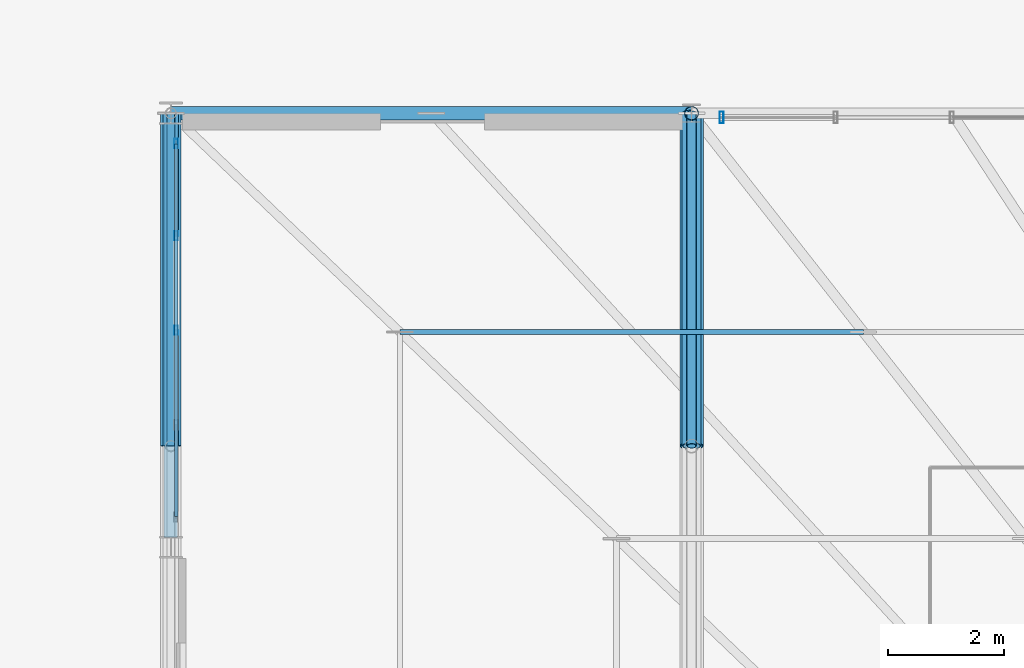
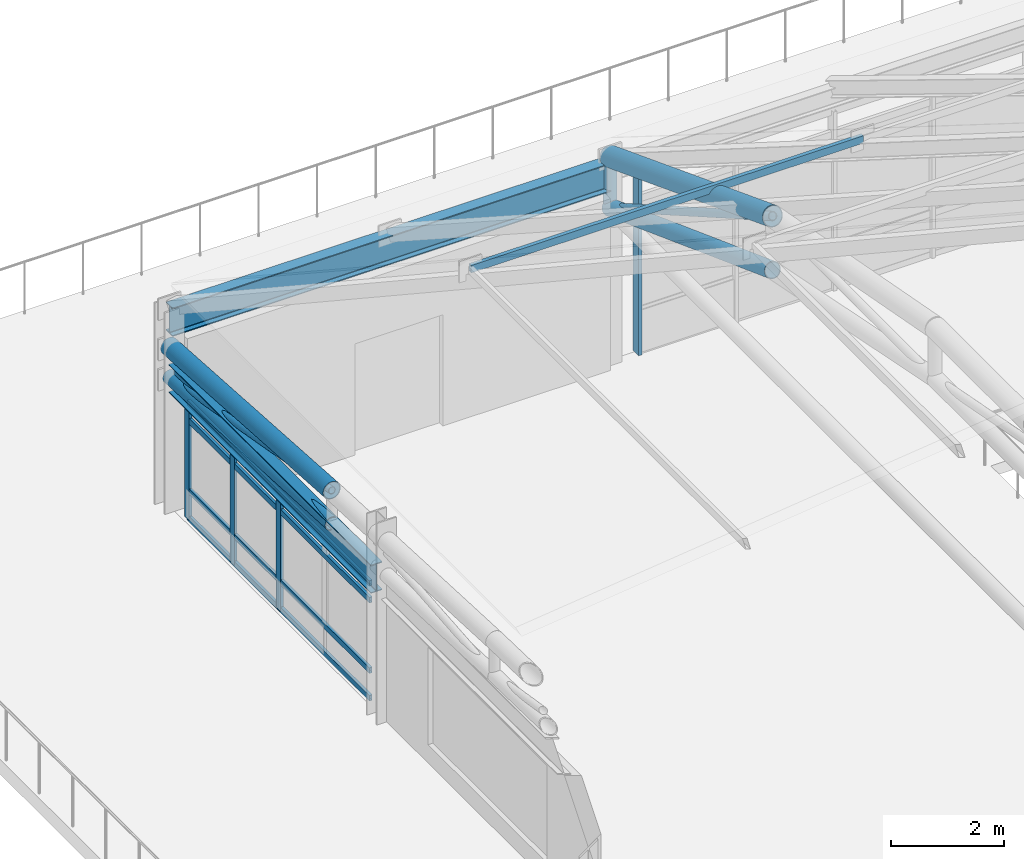
# One storey, part 18 of 168: 14 members, 4 beams, 2 elements without a shape of their own.
"""IFC4 building model written with IfcOpenShell, lengths in metres."""

import ifcopenshell
import ifcopenshell.guid

model = None  # the IFC model being written
_history = None  # IfcOwnerHistory: only IFC2X3 demands one
_inside = {}  # id of a spatial element -> (the spatial element, [elements in it])
_under = {}  # id of a project, library or spatial element -> (it, [spatial elements below it])
_declared = {}  # id of a project -> (the project, [libraries it declares])
_typed = {}  # id of a type object -> (the type object, [elements of that type])
_made_of = {}  # id of a material, layer set ... -> (it, [elements and type objects made of it])


def new_model(schema):
    """Start an empty IFC model of exactly this schema.

    Asked for "IFC4X3", IfcOpenShell would pick the latest addendum, in which some entities
    have other attributes; the version numbers below select the first issue.
    IFC2X3 requires an IfcOwnerHistory on every rooted entity: one is made here for all.
    """
    global model, _history
    if schema == "IFC4X3":
        model = ifcopenshell.file(schema_version=(4, 3, 0, 0))
    else:
        model = ifcopenshell.file(schema=schema)
    _inside.clear()
    _under.clear()
    _declared.clear()
    _typed.clear()
    _made_of.clear()
    _history = None
    if model.schema == "IFC2X3":
        org = make("IfcOrganization", Name="unknown")
        user = make(
            "IfcPersonAndOrganization",
            ThePerson=make("IfcPerson", FamilyName="unknown"),
            TheOrganization=org,
        )
        app = make(
            "IfcApplication",
            ApplicationDeveloper=org,
            Version="unknown",
            ApplicationFullName="unknown",
            ApplicationIdentifier="unknown",
        )
        _history = make(
            "IfcOwnerHistory",
            OwningUser=user,
            OwningApplication=app,
            ChangeAction="ADDED",
            CreationDate=0,
        )
    return model


def make(cls, **values):
    """One entity of the class cls with the attributes given. An attribute that is None is left unset."""
    return model.create_entity(
        cls, **{name: value for name, value in values.items() if value is not None}
    )


def rooted(cls, **values):
    """An entity with a GlobalId (a new one), such as an element, a storey or a relation."""
    return make(cls, GlobalId=ifcopenshell.guid.new(), OwnerHistory=_history, **values)


def si_unit(unit_type, name, prefix=None):
    """IfcSIUnit, for example si_unit("LENGTHUNIT", "METRE", prefix="MILLI")."""
    return make("IfcSIUnit", UnitType=unit_type, Prefix=prefix, Name=name)


def assignment(units):
    """IfcUnitAssignment: the units of a project."""
    return None if units is None else make("IfcUnitAssignment", Units=units)


def point(xyz):
    """IfcCartesianPoint."""
    return None if xyz is None else make("IfcCartesianPoint", Coordinates=xyz)


def direction(xyz):
    """IfcDirection."""
    return None if xyz is None else make("IfcDirection", DirectionRatios=xyz)


def frame(location, z_axis=None, x_axis=None):
    """IfcAxis2Placement3D, a coordinate frame: its origin and axes. An axis left out is left unset."""
    return make(
        "IfcAxis2Placement3D",
        Location=point(location),
        Axis=direction(z_axis),
        RefDirection=direction(x_axis),
    )


def frame_2d(location, x_axis=None):
    """IfcAxis2Placement2D, a coordinate frame in the plane: its origin and x axis."""
    return make(
        "IfcAxis2Placement2D", Location=point(location), RefDirection=direction(x_axis)
    )


def origin():
    """The frame at (0, 0, 0) with its axes left unset."""
    return frame((0.0, 0.0, 0.0))


def origin_2d():
    """The frame at (0, 0) in the plane with its x axis left unset."""
    return frame_2d((0.0, 0.0))


def place(relative_to, where):
    """IfcLocalPlacement: puts the frame where relative to a parent placement (None: the world)."""
    return make(
        "IfcLocalPlacement", PlacementRelTo=relative_to, RelativePlacement=where
    )


def context(
    kind, dimensions, precision=None, world=None, true_north=None, identifier=None
):
    """IfcGeometricRepresentationContext, for example the 3D "Model" context."""
    return make(
        "IfcGeometricRepresentationContext",
        ContextIdentifier=identifier,
        ContextType=kind,
        CoordinateSpaceDimension=dimensions,
        Precision=precision,
        WorldCoordinateSystem=world,
        TrueNorth=true_north,
    )


def subcontext(parent, identifier, kind, view, scale=None):
    """IfcGeometricRepresentationSubContext, for example "Body" below "Model"."""
    return make(
        "IfcGeometricRepresentationSubContext",
        ContextIdentifier=identifier,
        ContextType=kind,
        ParentContext=parent,
        TargetScale=scale,
        TargetView=view,
    )


def project(units=None, contexts=None):
    """IfcProject with its units and contexts."""
    return rooted(
        "IfcProject",
        Name="project",
        RepresentationContexts=contexts,
        UnitsInContext=assignment(units),
    )


def spatial(cls, under=None, at=None, **own):
    """A site, building, storey or space (cls), placed at a placement, below another one or the project."""
    s = rooted(cls, ObjectPlacement=at, **own)
    if under is not None:
        _under.setdefault(under.id(), (under, []))[1].append(s)
    return s


def profile(cls, at=None, kind="AREA", **sizes):
    """A parametric profile (cls). Its sizes go by their IFC names, for example OverallWidth=200.0."""
    return make(cls, ProfileType=kind, Position=at, **sizes)


def hollow_rectangle(**sizes):
    """IfcRectangleHollowProfileDef."""
    return profile("IfcRectangleHollowProfileDef", **sizes)


def hollow_circle(**sizes):
    """IfcCircleHollowProfileDef."""
    return profile("IfcCircleHollowProfileDef", **sizes)


def i_section(**sizes):
    """IfcIShapeProfileDef."""
    return profile("IfcIShapeProfileDef", **sizes)


def extrude(swept, where, along, depth):
    """IfcExtrudedAreaSolid: the profile swept, set in the frame where, extruded along a direction by depth."""
    return make(
        "IfcExtrudedAreaSolid",
        SweptArea=swept,
        Position=where,
        ExtrudedDirection=direction(along),
        Depth=depth,
    )


def shape(context_of_items, identifier, shape_type, items):
    """IfcShapeRepresentation: the items that make up one representation, for example the "Body"."""
    return make(
        "IfcShapeRepresentation",
        ContextOfItems=context_of_items,
        RepresentationIdentifier=identifier,
        RepresentationType=shape_type,
        Items=items,
    )


def material(Name=None, Category=None):
    """IfcMaterial."""
    return make("IfcMaterial", Name=Name, Category=Category)


def material_profile(
    of_material, cross_section, Name=None, Category=None, Priority=None
):
    """IfcMaterialProfile: a cross section and its material."""
    return make(
        "IfcMaterialProfile",
        Name=Name,
        Material=of_material,
        Profile=cross_section,
        Priority=Priority,
        Category=Category,
    )


def profile_set(profiles, Name=None, composite=None):
    """IfcMaterialProfileSet."""
    return make(
        "IfcMaterialProfileSet",
        Name=Name,
        MaterialProfiles=profiles,
        CompositeProfile=composite,
    )


def made_of(thing, what):
    """Note that an element or type object is made of a material, layer set ...; save() writes the relation."""
    if what is not None:
        _made_of.setdefault(what.id(), (what, []))[1].append(thing)
    return thing


def type_object(cls, material=None, **own):
    """A type object (cls), such as IfcWallType, which elements share."""
    return made_of(rooted(cls, **own), material)


def element(
    cls,
    number,
    at=None,
    inside=None,
    cuts=None,
    type_object=None,
    material=None,
    context=None,
    identifier="Body",
    shape_type=None,
    held_by="IfcProductDefinitionShape",
    body=None,
    shapes=None,
    **own,
):
    """One element of the class cls, such as IfcWall. Its Tag is "e" and its number.

    at: its placement. inside: the storey or other place that contains it. cuts: it is an
    opening in that element (IfcRelVoidsElement). A single representation is given by context,
    identifier, shape_type and body (its items); several are given by shapes. held_by: the class
    of the entity that holds the representations. save() writes the other relations.
    """
    e = rooted(cls, Tag="e%d" % number, ObjectPlacement=at, **own)
    if body is not None:
        shapes = [shape(context, identifier, shape_type, body)]
    if shapes is not None:
        e.Representation = make(held_by, Representations=shapes)
    if inside is not None:
        _inside.setdefault(inside.id(), (inside, []))[1].append(e)
    if cuts is not None:
        rooted(
            "IfcRelVoidsElement", RelatingBuildingElement=cuts, RelatedOpeningElement=e
        )
    if type_object is not None:
        _typed.setdefault(type_object.id(), (type_object, []))[1].append(e)
    return made_of(e, material)


def aggregate(whole, parts):
    """IfcRelAggregates: a whole, such as a stair, and the parts it consists of."""
    return rooted("IfcRelAggregates", RelatingObject=whole, RelatedObjects=parts)


def save(model, path):
    """Write the relations noted so far, then the file.

    IfcRelAggregates (storeys below a building ...), IfcRelContainedInSpatialStructure (elements
    in a storey), IfcRelDefinesByType, IfcRelAssociatesMaterial and IfcRelDeclares: one each for
    every whole, place, type object, material and project.
    """
    for whole, parts in _under.values():
        aggregate(whole, parts)
    for where, things in _inside.values():
        rooted(
            "IfcRelContainedInSpatialStructure",
            RelatedElements=things,
            RelatingStructure=where,
        )
    for kind, things in _typed.values():
        rooted("IfcRelDefinesByType", RelatedObjects=things, RelatingType=kind)
    for what, things in _made_of.values():
        rooted("IfcRelAssociatesMaterial", RelatedObjects=things, RelatingMaterial=what)
    for by, libraries in _declared.values():
        rooted("IfcRelDeclares", RelatingContext=by, RelatedDefinitions=libraries)
    model.write(path)


model = new_model("IFC4")

# Units and contexts
model_context = context("Model", 3, precision=1e-05, world=origin(), true_north=direction((0.0, 1.0)))
body_context = subcontext(model_context, "Body", "Model", "MODEL_VIEW")
ifc_project = project(units=[si_unit("LENGTHUNIT", "METRE"), si_unit("AREAUNIT", "SQUARE_METRE"), si_unit("VOLUMEUNIT", "CUBIC_METRE"), si_unit("PLANEANGLEUNIT", "RADIAN"), si_unit("MASSUNIT", "GRAM", prefix="KILO"), si_unit("THERMODYNAMICTEMPERATUREUNIT", "KELVIN"), si_unit("POWERUNIT", "WATT")], contexts=[model_context])

# Site, building, storey
site_placement = place(None, origin())
site = spatial("IfcSite", under=ifc_project, at=site_placement, CompositionType="ELEMENT")
building_placement = place(site_placement, origin())
building = spatial("IfcBuilding", under=site, at=building_placement, Name="Tepalcoro Natatorium and Aquatics Centre", CompositionType="ELEMENT")
storey_placement = place(building_placement, frame((0.0, 0.0, 10.199951171875)))
storey = spatial("IfcBuildingStorey", under=building, at=storey_placement, Name="L02", CompositionType="ELEMENT", Elevation=10.199951171875)

# Beams
ifc_material_1 = material(Name="Terracotta Painted Hollow Steel ASTM A500 Grade C (Fy 345 MPa)", Category="masonry")
ifc_material_profile_1 = material_profile(ifc_material_1, hollow_circle(Radius=0.177978515625, WallThickness=0.01611328125, at=origin_2d()), Name="CHS356X16")
ifc_profile_set_1 = profile_set([ifc_material_profile_1], Name="Terracotta Painted Hollow Steel ASTM A500 Grade C (Fy 345 MPa)")
beam_type_1 = type_object("IfcBeamType", Name="AC_CHS356x16", PredefinedType="USERDEFINED", material=ifc_profile_set_1)
beam_1_placement = place(storey_placement, frame((53.0, 53.25, 3.822021484375), z_axis=(0.0, 0.997912996707, -0.064572834875), x_axis=(-1.0, 0.0, 0.0)))
element("IfcBeam", 1, at=beam_1_placement, inside=storey, type_object=beam_type_1, Name="V1 Gable Arched Truss Top Chord 1", ObjectType="ARCH CHORD", PredefinedType="USERDEFINED", context=body_context, shape_type="SweptSolid", body=[
    extrude(hollow_circle(Radius=0.177978515625, WallThickness=0.01611328125, at=origin_2d()), origin(), (0.0, 0.0, 1.0), 5.761962890625),
])
ifc_material_profile_2 = material_profile(ifc_material_1, hollow_circle(Radius=0.202880859375, WallThickness=0.01611328125, at=origin_2d()), Name="CHS406X16")
ifc_profile_set_2 = profile_set([ifc_material_profile_2], Name="Terracotta Painted Hollow Steel ASTM A500 Grade C (Fy 345 MPa)")
beam_type_2 = type_object("IfcBeamType", Name="AC_CHS406x16", PredefinedType="USERDEFINED", material=ifc_profile_set_2)
beam_2_placement = place(storey_placement, frame((62.0, 53.25, 6.593017578125), z_axis=(0.0, 0.934186419385, -0.356785276935), x_axis=(-1.0, 0.0, 0.0)))
element("IfcBeam", 2, at=beam_2_placement, inside=storey, type_object=beam_type_2, Name="V1 Arched Truss Top Chord 2", ObjectType="ARCH CHORD", PredefinedType="USERDEFINED", context=body_context, shape_type="SweptSolid", body=[
    extrude(hollow_circle(Radius=0.202880859375, WallThickness=0.01611328125, at=origin_2d()), origin(), (0.0, 0.0, 1.0), 6.155029296875),
])

# Curtain wall, members
ifc_material_2 = material(Name="Bronze-Anodised Extruded Aluminium Alloy EN AW-6063 T6", Category="aluminium")
curtain_wall_type_1 = type_object("IfcCurtainWallType", Name="CW_V1_PLINTH", PredefinedType="USERDEFINED", material=ifc_material_2)
curtain_wall_1_placement = place(storey_placement, origin())
curtain_wall_1 = element("IfcCurtainWall", 3, at=curtain_wall_1_placement, inside=storey, type_object=curtain_wall_type_1, Name="V1 L02 W Unitised Curtain Wall Bay 6", ObjectType="UNITISED STOREFRONT", PredefinedType="USERDEFINED")
ifc_material_profile_3 = material_profile(ifc_material_2, hollow_rectangle(XDim=0.06005859375, YDim=0.159912109375, WallThickness=0.00390625, at=origin_2d()), Name="AL60X160X4")
ifc_profile_set_3 = profile_set([ifc_material_profile_3], Name="Bronze-Anodised Extruded Aluminium Alloy EN AW-6063 T6")
member_type_1 = type_object("IfcMemberType", Name="CW_MUL_60x160", PredefinedType="MULLION", material=ifc_profile_set_3)
member_1_placement = place(storey_placement, frame((53.090087890625, 55.25, 0.02001953125), z_axis=(0.0, 0.0, 1.0), x_axis=(1.0, 0.0, 0.0)))
member_1 = element("IfcMember", 4, at=member_1_placement, type_object=member_type_1, Name="CW_V1_PLINTH Curtain Wall Mullion", PredefinedType="MULLION", context=body_context, shape_type="SweptSolid", body=[
    extrude(hollow_rectangle(XDim=0.06005859375, YDim=0.159912109375, WallThickness=0.00390625, at=origin_2d()), origin(), (0.0, 0.0, 1.0), 2.5380859375),
])
member_2_placement = place(storey_placement, frame((53.090087890625, 56.885009765625, 0.02001953125), z_axis=(0.0, 0.0, 1.0), x_axis=(1.0, 0.0, 0.0)))
member_2 = element("IfcMember", 5, at=member_2_placement, type_object=member_type_1, Name="CW_V1_PLINTH Curtain Wall Mullion", PredefinedType="MULLION", context=body_context, shape_type="SweptSolid", body=[
    extrude(hollow_rectangle(XDim=0.06005859375, YDim=0.159912109375, WallThickness=0.00390625, at=origin_2d()), origin(), (0.0, 0.0, 1.0), 2.5380859375),
])
member_3_placement = place(storey_placement, frame((53.090087890625, 58.47998046875, 0.02001953125), z_axis=(0.0, 0.0, 1.0), x_axis=(1.0, 0.0, 0.0)))
member_3 = element("IfcMember", 6, at=member_3_placement, type_object=member_type_1, Name="CW_V1_PLINTH Curtain Wall Mullion", PredefinedType="MULLION", context=body_context, shape_type="SweptSolid", body=[
    extrude(hollow_rectangle(XDim=0.06005859375, YDim=0.159912109375, WallThickness=0.00390625, at=origin_2d()), origin(), (0.0, 0.0, 1.0), 2.5380859375),
])

# Curtain wall, member
curtain_wall_type_2 = type_object("IfcCurtainWallType", Name="CW_LEAN_T1_EW", PredefinedType="USERDEFINED", material=ifc_material_2)
curtain_wall_2_placement = place(storey_placement, origin())
curtain_wall_2 = element("IfcCurtainWall", 7, at=curtain_wall_2_placement, inside=storey, type_object=curtain_wall_type_2, Name="V1 L02 N Unitised Curtain Wall Bay 2", ObjectType="FACETED SOLAR GLAZING", PredefinedType="USERDEFINED")
ifc_material_profile_4 = material_profile(ifc_material_2, hollow_rectangle(XDim=0.070068359375, YDim=0.199951171875, WallThickness=0.0048828125, at=origin_2d()), Name="AL70X200X5")
ifc_profile_set_4 = profile_set([ifc_material_profile_4], Name="Bronze-Anodised Extruded Aluminium Alloy EN AW-6063 T6")
member_type_2 = type_object("IfcMemberType", Name="CW_MUL_70x200", PredefinedType="MULLION", material=ifc_profile_set_4)
member_4_placement = place(storey_placement, frame((62.52001953125, 58.9287109375, 0.02001953125), z_axis=(0.0, 0.0, 1.0), x_axis=(1.0, 0.0, 0.0)))
member_4 = element("IfcMember", 8, at=member_4_placement, type_object=member_type_2, Name="CW_LEAN_T1_EW Curtain Wall Mullion", PredefinedType="MULLION", context=body_context, shape_type="SweptSolid", body=[
    extrude(hollow_rectangle(XDim=0.070068359375, YDim=0.199951171875, WallThickness=0.0048828125, at=origin_2d()), origin(), (0.0, 0.0, 1.0), 3.866943359375),
])
aggregate(curtain_wall_2, [member_4])

# Member
ifc_material_profile_5 = material_profile(ifc_material_2, hollow_rectangle(XDim=0.06005859375, YDim=0.1201171875, WallThickness=0.00390625, at=origin_2d()), Name="AL60X120X4")
ifc_profile_set_5 = profile_set([ifc_material_profile_5], Name="Bronze-Anodised Extruded Aluminium Alloy EN AW-6063 T6")
member_type_3 = type_object("IfcMemberType", Name="CW_TRN_60x120", PredefinedType="USERDEFINED", material=ifc_profile_set_5)
member_5_placement = place(storey_placement, frame((53.090087890625, 52.030029296875, 0.050048828125), z_axis=(0.0, 1.0, 0.0), x_axis=(-1.0, 0.0, 0.0)))
member_5 = element("IfcMember", 9, at=member_5_placement, type_object=member_type_3, Name="CW_V1_PLINTH Curtain Wall Transom", ObjectType="TRANSOM", PredefinedType="USERDEFINED", context=body_context, shape_type="SweptSolid", body=[
    extrude(hollow_rectangle(XDim=0.06005859375, YDim=0.1201171875, WallThickness=0.00390625, at=origin_2d()), origin(), (0.0, 0.0, 1.0), 6.43994140625),
])

member_6_placement = place(storey_placement, frame((53.090087890625, 52.030029296875, 0.64453125), z_axis=(0.0, 1.0, 0.0), x_axis=(-1.0, 0.0, 0.0)))
member_6 = element("IfcMember", 10, at=member_6_placement, type_object=member_type_3, Name="CW_V1_PLINTH Curtain Wall Transom", ObjectType="TRANSOM", PredefinedType="USERDEFINED", context=body_context, shape_type="SweptSolid", body=[
    extrude(hollow_rectangle(XDim=0.06005859375, YDim=0.1201171875, WallThickness=0.00390625, at=origin_2d()), origin(), (0.0, 0.0, 1.0), 6.43994140625),
])

member_7_placement = place(storey_placement, frame((53.090087890625, 52.030029296875, 2.16552734375), z_axis=(0.0, 1.0, 0.0), x_axis=(-1.0, 0.0, 0.0)))
member_7 = element("IfcMember", 11, at=member_7_placement, type_object=member_type_3, Name="CW_V1_PLINTH Curtain Wall Transom", ObjectType="TRANSOM", PredefinedType="USERDEFINED", context=body_context, shape_type="SweptSolid", body=[
    extrude(hollow_rectangle(XDim=0.06005859375, YDim=0.1201171875, WallThickness=0.00390625, at=origin_2d()), origin(), (0.0, 0.0, 1.0), 6.43994140625),
])

member_8_placement = place(storey_placement, frame((53.090087890625, 52.030029296875, 2.528076171875), z_axis=(0.0, 1.0, 0.0), x_axis=(-1.0, 0.0, 0.0)))
member_8 = element("IfcMember", 12, at=member_8_placement, type_object=member_type_3, Name="CW_V1_PLINTH Curtain Wall Transom", ObjectType="TRANSOM", PredefinedType="USERDEFINED", context=body_context, shape_type="SweptSolid", body=[
    extrude(hollow_rectangle(XDim=0.06005859375, YDim=0.1201171875, WallThickness=0.00390625, at=origin_2d()), origin(), (0.0, 0.0, 1.0), 6.43994140625),
])

aggregate(curtain_wall_1, [member_1, member_2, member_3, member_5, member_6, member_7, member_8])

# Members
ifc_material_profile_6 = material_profile(ifc_material_1, hollow_circle(Radius=0.136474609375, WallThickness=0.01611328125, at=origin_2d()), Name="CHS273X16")
ifc_profile_set_6 = profile_set([ifc_material_profile_6], Name="Terracotta Painted Hollow Steel ASTM A500 Grade C (Fy 345 MPa)")
member_type_4 = type_object("IfcMemberType", Name="MB_CH_CHS273x16", PredefinedType="CHORD", material=ifc_profile_set_6)
member_9_placement = place(storey_placement, frame((53.0, 53.25, 3.106201171875), z_axis=(0.0, 0.998585550978, -0.053168575107), x_axis=(-1.0, 0.0, 0.0)))
element("IfcMember", 13, at=member_9_placement, inside=storey, type_object=member_type_4, Name="V1 Gable Arched Truss Bottom Chord 1", PredefinedType="CHORD", context=body_context, shape_type="SweptSolid", body=[
    extrude(hollow_circle(Radius=0.136474609375, WallThickness=0.01611328125, at=origin_2d()), origin(), (0.0, 0.0, 1.0), 5.758056640625),
])
ifc_material_profile_7 = material_profile(ifc_material_1, hollow_circle(Radius=0.162109375, WallThickness=0.013916015625, at=origin_2d()), Name="CHS324X14")
ifc_profile_set_7 = profile_set([ifc_material_profile_7], Name="Terracotta Painted Hollow Steel ASTM A500 Grade C (Fy 345 MPa)")
member_type_5 = type_object("IfcMemberType", Name="MB_CH_CHS324x14", PredefinedType="CHORD", material=ifc_profile_set_7)
member_10_placement = place(storey_placement, frame((62.0, 53.25, 5.42822265625), z_axis=(0.0, 0.937670456058, -0.347525705288), x_axis=(-1.0, 0.0, 0.0)))
element("IfcMember", 14, at=member_10_placement, inside=storey, type_object=member_type_5, Name="V1 Arched Truss Bottom Chord 2", PredefinedType="CHORD", context=body_context, shape_type="SweptSolid", body=[
    extrude(hollow_circle(Radius=0.162109375, WallThickness=0.013916015625, at=origin_2d()), origin(), (0.0, 0.0, 1.0), 6.13232421875),
])
ifc_material_3 = material(Name="Hollow Steel ASTM A500 Grade C (Fy 345 MPa)", Category="steel")
ifc_material_profile_8 = material_profile(ifc_material_3, hollow_rectangle(XDim=0.080078125, YDim=0.159912109375, WallThickness=0.008056640625, at=origin_2d()), Name="HSS160X80X8")
ifc_profile_set_8 = profile_set([ifc_material_profile_8], Name="Hollow Steel ASTM A500 Grade C (Fy 345 MPa)")
member_type_6 = type_object("IfcMemberType", Name="MB_PR_HSS160x80x8", PredefinedType="PURLIN", material=ifc_profile_set_8)
member_11_placement = place(storey_placement, frame((56.9599609375, 55.219970703125, 6.03662109375), z_axis=(1.0, 0.0, 0.0), x_axis=(0.0, 1.0, 0.0)))
element("IfcMember", 15, at=member_11_placement, inside=storey, type_object=member_type_6, Name="Pyramid Horizontal Purlin North", PredefinedType="PURLIN", context=body_context, shape_type="SweptSolid", body=[
    extrude(hollow_rectangle(XDim=0.080078125, YDim=0.159912109375, WallThickness=0.008056640625, at=origin_2d()), origin(), (0.0, 0.0, 1.0), 8.010009765625),
])
ifc_material_profile_9 = material_profile(ifc_material_1, hollow_circle(Radius=0.1220703125, WallThickness=0.011962890625, at=origin_2d()), Name="CHS244X12")
ifc_profile_set_9 = profile_set([ifc_material_profile_9], Name="Terracotta Painted Hollow Steel ASTM A500 Grade C (Fy 345 MPa)")
member_type_7 = type_object("IfcMemberType", Name="MB_PS_CHS244x12", PredefinedType="POST", material=ifc_profile_set_9)
member_12_placement = place(storey_placement, frame((62.0, 59.0, 3.297119140625), z_axis=(0.0, 0.0, 1.0), x_axis=(1.0, 0.0, 0.0)))
element("IfcMember", 16, at=member_12_placement, inside=storey, type_object=member_type_7, Name="V1 Arched Truss Vertical Post 2", PredefinedType="POST", context=body_context, shape_type="SweptSolid", body=[
    extrude(hollow_circle(Radius=0.1220703125, WallThickness=0.011962890625, at=origin_2d()), origin(), (0.0, 0.0, 1.0), 1.099853515625),
])
ifc_material_profile_10 = material_profile(ifc_material_1, hollow_circle(Radius=0.070068359375, WallThickness=0.008056640625, at=origin_2d()), Name="CHS140X8")
ifc_profile_set_10 = profile_set([ifc_material_profile_10], Name="Terracotta Painted Hollow Steel ASTM A500 Grade C (Fy 345 MPa)")
member_type_8 = type_object("IfcMemberType", Name="MB_ST_CHS140x8", PredefinedType="STRUT", material=ifc_profile_set_10)
member_13_placement = place(storey_placement, frame((53.0, 53.25, 3.822021484375), z_axis=(0.0, 0.984569871158, -0.174991910694), x_axis=(-1.0, 0.0, 0.0)))
element("IfcMember", 17, at=member_13_placement, inside=storey, type_object=member_type_8, Name="V1 Arched Truss Web Diagonal 1", PredefinedType="STRUT", context=body_context, shape_type="SweptSolid", body=[
    extrude(hollow_circle(Radius=0.070068359375, WallThickness=0.008056640625, at=origin_2d()), origin(), (0.0, 0.0, 1.0), 5.840087890625),
])
ifc_material_profile_11 = material_profile(ifc_material_1, hollow_circle(Radius=0.083984375, WallThickness=0.011962890625, at=origin_2d()), Name="CHS168X12")
ifc_profile_set_11 = profile_set([ifc_material_profile_11], Name="Terracotta Painted Hollow Steel ASTM A500 Grade C (Fy 345 MPa)")
member_type_9 = type_object("IfcMemberType", Name="MB_ST_CHS168x12", PredefinedType="STRUT", material=ifc_profile_set_11)
member_14_placement = place(storey_placement, frame((62.0, 53.25, 6.593017578125), z_axis=(0.0, 0.867580440338, -0.497296872646), x_axis=(-1.0, 0.0, 0.0)))
element("IfcMember", 18, at=member_14_placement, inside=storey, type_object=member_type_9, Name="V1 Arched Truss Web Diagonal 2", PredefinedType="STRUT", context=body_context, shape_type="SweptSolid", body=[
    extrude(hollow_circle(Radius=0.083984375, WallThickness=0.011962890625, at=origin_2d()), origin(), (0.0, 0.0, 1.0), 6.627685546875),
])

# Beams
ifc_material_4 = material(Name="Steel ASTM A992 Grade 50 (Fy 345 MPa)", Category="steel")
ifc_material_profile_12 = material_profile(ifc_material_4, i_section(OverallWidth=0.22900390625, OverallDepth=0.612060546875, WebThickness=0.011962890625, FlangeThickness=0.02001953125, FilletRadius=0.013916015625, at=origin_2d()), Name="W24X84")
ifc_profile_set_12 = profile_set([ifc_material_profile_12], Name="Steel ASTM A992 Grade 50 (Fy 345 MPa)")
beam_type_3 = type_object("IfcBeamType", Name="SP_W24x84", PredefinedType="SPANDREL", material=ifc_profile_set_12)
beam_3_placement = place(storey_placement, frame((53.0, 59.0, 4.029052734375), z_axis=(1.0, 0.0, 0.0), x_axis=(0.0, 1.0, 0.0)))
element("IfcBeam", 19, at=beam_3_placement, inside=storey, type_object=beam_type_3, Name="V1 L02 Grid Girder X", PredefinedType="SPANDREL", context=body_context, shape_type="SweptSolid", body=[
    extrude(i_section(OverallWidth=0.22900390625, OverallDepth=0.612060546875, WebThickness=0.011962890625, FlangeThickness=0.02001953125, FilletRadius=0.013916015625, at=origin_2d()), origin(), (0.0, 0.0, 1.0), 9.0),
])
beam_4_placement = place(storey_placement, frame((53.0, 51.6669921875, 2.899169921875), z_axis=(0.0, 1.0, 0.0), x_axis=(-1.0, 0.0, 0.0)))
element("IfcBeam", 20, at=beam_4_placement, inside=storey, type_object=beam_type_3, Name="V1 L02 Grid Girder Y", PredefinedType="SPANDREL", context=body_context, shape_type="SweptSolid", body=[
    extrude(i_section(OverallWidth=0.22900390625, OverallDepth=0.612060546875, WebThickness=0.011962890625, FlangeThickness=0.02001953125, FilletRadius=0.013916015625, at=origin_2d()), origin(), (0.0, 0.0, 1.0), 7.160888671875),
])

save(model, "model.ifc")
